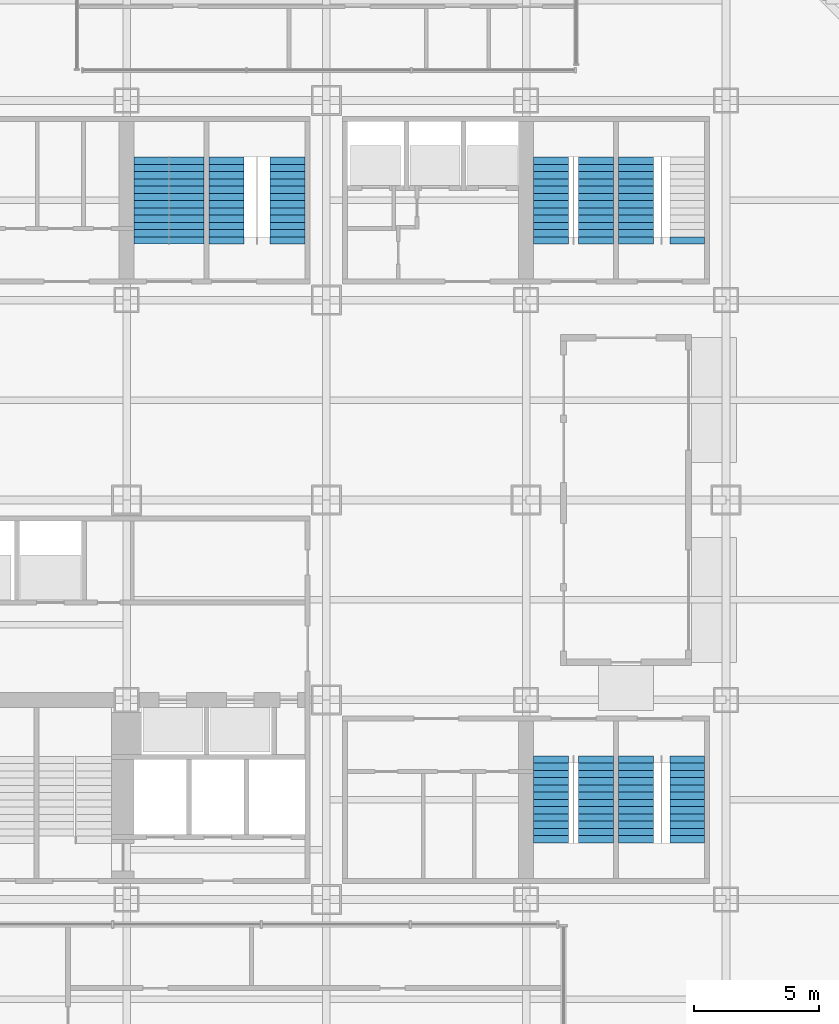
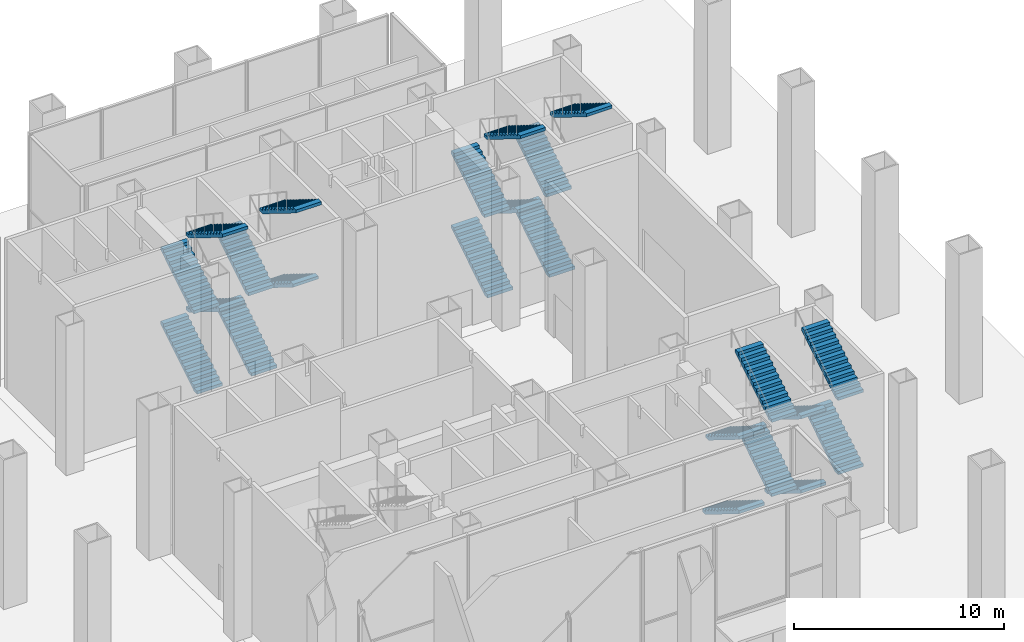
# One storey, part 11 of 14: 23 stair flights, 6 elements without a shape of their own.
"""IFC4 building model written with IfcOpenShell, lengths in metres."""

from ifc_helpers import new_model, si_unit, direction, frame, origin, place, context, subcontext, project, spatial, polyline, outline, extrude, material, type_object, element, aggregate, save


model = new_model("IFC4")

# Units and contexts
model_context = context("Model", 3, precision=1e-05, world=origin(), true_north=direction((0.0, 1.0)))
body_context = subcontext(model_context, "Body", "Model", "MODEL_VIEW")
ifc_project = project(units=[si_unit("LENGTHUNIT", "METRE"), si_unit("AREAUNIT", "SQUARE_METRE"), si_unit("VOLUMEUNIT", "CUBIC_METRE"), si_unit("PLANEANGLEUNIT", "RADIAN"), si_unit("MASSUNIT", "GRAM", prefix="KILO")], contexts=[model_context])

# Site, building, storey
site_placement = place(None, origin())
site = spatial("IfcSite", under=ifc_project, at=site_placement, CompositionType="ELEMENT")
building_placement = place(site_placement, origin())
building = spatial("IfcBuilding", under=site, at=building_placement, Name="Immortelle Media Tower", CompositionType="ELEMENT")
storey_placement = place(building_placement, origin())
storey = spatial("IfcBuildingStorey", under=building, at=storey_placement, Name="G", CompositionType="ELEMENT", Elevation=0.0)

# Stair, stair flights
ifc_material = material(Name="Steel ASTM A992 Gr 50", Category="steel")
stair_type = type_object("IfcStairType", Name="Stair with flights", PredefinedType="DOUBLE_RETURN_STAIR", material=ifc_material)
stair_1_placement = place(storey_placement, origin())
stair_1 = element("IfcStair", 1, at=stair_1_placement, inside=storey, type_object=stair_type, Name="Exit stair SE1", PredefinedType="DOUBLE_RETURN_STAIR")
stair_flight_type = type_object("IfcStairFlightType", Name="Stair flight 1400", PredefinedType="STRAIGHT", material=ifc_material)
stair_flight_1_placement = place(storey_placement, frame((33.0, 13.75, 0.0), z_axis=(0.0, 0.0, 1.0), x_axis=(0.0, -1.0, 0.0)))
stair_flight_1 = element("IfcStairFlight", 2, at=stair_flight_1_placement, type_object=stair_flight_type, Name="ST SE1 flight 1", NumberOfRisers=13, NumberOfTreads=12, PredefinedType="STRAIGHT", RiserHeight=0.18, TreadLength=0.29, context=body_context, shape_type="SweptSolid", body=[
    extrude(outline(polyline([(0.0, 0.0), (0.0, 0.179931640625), (0.2900390625, 0.179931640625), (0.2900390625, 0.360107421875), (0.580078125, 0.360107421875), (0.580078125, 0.5400390625), (0.8701171875, 0.5400390625), (0.8701171875, 0.719970703125), (1.159912109375, 0.719970703125), (1.159912109375, 0.89990234375), (1.449951171875, 0.89990234375), (1.449951171875, 1.080078125), (1.739990234375, 1.080078125), (1.739990234375, 1.260009765625), (2.030029296875, 1.260009765625), (2.030029296875, 1.43994140625), (2.320068359375, 1.43994140625), (2.320068359375, 1.6201171875), (2.610107421875, 1.6201171875), (2.610107421875, 1.800048828125), (2.89990234375, 1.800048828125), (2.89990234375, 1.97998046875), (3.18994140625, 1.97998046875), (3.18994140625, 2.159912109375), (3.47998046875, 2.159912109375), (3.47998046875, 2.340087890625), (3.47998046875, 1.983642578125), (0.2841796875, 0.0), (0.0, 0.0)])), frame((0.0, 0.699951171875, 0.0), z_axis=(0.0, -1.0, 0.0), x_axis=(1.0, 0.0, 0.0)), (0.0, 0.0, 1.0), 1.39990234375),
])
stair_flight_2_placement = place(storey_placement, frame((34.800048828125, 10.27001953125, 2.340087890625), z_axis=(0.0, 0.0, 1.0), x_axis=(0.0, 1.0, 0.0)))
stair_flight_2 = element("IfcStairFlight", 3, at=stair_flight_2_placement, type_object=stair_flight_type, Name="ST SE1 flight 2", NumberOfRisers=12, NumberOfTreads=11, PredefinedType="STRAIGHT", RiserHeight=0.18, TreadLength=0.29, context=body_context, shape_type="SweptSolid", body=[
    extrude(outline(polyline([(0.0, 0.0), (0.0, 0.179931640625), (0.2900390625, 0.179931640625), (0.2900390625, 0.360107421875), (0.580078125, 0.360107421875), (0.580078125, 0.5400390625), (0.8701171875, 0.5400390625), (0.8701171875, 0.719970703125), (1.159912109375, 0.719970703125), (1.159912109375, 0.89990234375), (1.449951171875, 0.89990234375), (1.449951171875, 1.080078125), (1.739990234375, 1.080078125), (1.739990234375, 1.260009765625), (2.030029296875, 1.260009765625), (2.030029296875, 1.43994140625), (2.320068359375, 1.43994140625), (2.320068359375, 1.6201171875), (2.610107421875, 1.6201171875), (2.610107421875, 1.800048828125), (2.89990234375, 1.800048828125), (2.89990234375, 1.97998046875), (3.18994140625, 1.97998046875), (3.18994140625, 2.159912109375), (3.18994140625, 1.803466796875), (0.2841796875, 0.0), (0.0, 0.0)])), frame((0.0, 0.699951171875, 0.0), z_axis=(0.0, -1.0, 0.0), x_axis=(1.0, 0.0, 0.0)), (0.0, 0.0, 1.0), 1.39990234375),
])
stair_flight_3_placement = place(storey_placement, frame((33.0, 13.4599609375, 4.5), z_axis=(0.0, 0.0, 1.0), x_axis=(0.0, -1.0, 0.0)))
stair_flight_3 = element("IfcStairFlight", 4, at=stair_flight_3_placement, type_object=stair_flight_type, Name="ST SE1 flight 3", NumberOfRisers=12, NumberOfTreads=11, PredefinedType="STRAIGHT", RiserHeight=0.18, TreadLength=0.29, context=body_context, shape_type="SweptSolid", body=[
    extrude(outline(polyline([(0.0, 0.0), (0.0, 0.179931640625), (0.2900390625, 0.179931640625), (0.2900390625, 0.360107421875), (0.580078125, 0.360107421875), (0.580078125, 0.5400390625), (0.8701171875, 0.5400390625), (0.8701171875, 0.719970703125), (1.159912109375, 0.719970703125), (1.159912109375, 0.89990234375), (1.449951171875, 0.89990234375), (1.449951171875, 1.080078125), (1.739990234375, 1.080078125), (1.739990234375, 1.260009765625), (2.030029296875, 1.260009765625), (2.030029296875, 1.43994140625), (2.320068359375, 1.43994140625), (2.320068359375, 1.6201171875), (2.610107421875, 1.6201171875), (2.610107421875, 1.800048828125), (2.89990234375, 1.800048828125), (2.89990234375, 1.97998046875), (3.18994140625, 1.97998046875), (3.18994140625, 2.159912109375), (3.18994140625, 1.803466796875), (0.2841796875, 0.0), (0.0, 0.0)])), frame((0.0, 0.699951171875, 0.0), z_axis=(0.0, -1.0, 0.0), x_axis=(1.0, 0.0, 0.0)), (0.0, 0.0, 1.0), 1.39990234375),
])
stair_flight_4_placement = place(storey_placement, frame((34.800048828125, 10.27001953125, 6.659912109375), z_axis=(0.0, 0.0, 1.0), x_axis=(0.0, 1.0, 0.0)))
stair_flight_4 = element("IfcStairFlight", 5, at=stair_flight_4_placement, type_object=stair_flight_type, Name="ST SE1 flight 4", NumberOfRisers=13, NumberOfTreads=12, PredefinedType="STRAIGHT", RiserHeight=0.18, TreadLength=0.29, context=body_context, shape_type="SweptSolid", body=[
    extrude(outline(polyline([(0.0, 0.0), (0.0, 0.179931640625), (0.2900390625, 0.179931640625), (0.2900390625, 0.360107421875), (0.580078125, 0.360107421875), (0.580078125, 0.5400390625), (0.8701171875, 0.5400390625), (0.8701171875, 0.719970703125), (1.159912109375, 0.719970703125), (1.159912109375, 0.89990234375), (1.449951171875, 0.89990234375), (1.449951171875, 1.080078125), (1.739990234375, 1.080078125), (1.739990234375, 1.260009765625), (2.030029296875, 1.260009765625), (2.030029296875, 1.43994140625), (2.320068359375, 1.43994140625), (2.320068359375, 1.6201171875), (2.610107421875, 1.6201171875), (2.610107421875, 1.800048828125), (2.89990234375, 1.800048828125), (2.89990234375, 1.97998046875), (3.18994140625, 1.97998046875), (3.18994140625, 2.159912109375), (3.47998046875, 2.159912109375), (3.47998046875, 2.340087890625), (3.47998046875, 1.983642578125), (0.2841796875, 0.0), (0.0, 0.0)])), frame((0.0, 0.699951171875, 0.0), z_axis=(0.0, -1.0, 0.0), x_axis=(1.0, 0.0, 0.0)), (0.0, 0.0, 1.0), 1.39990234375),
])
aggregate(stair_1, [stair_flight_1, stair_flight_2, stair_flight_3, stair_flight_4])

stair_2_placement = place(storey_placement, origin())
stair_2 = element("IfcStair", 6, at=stair_2_placement, inside=storey, type_object=stair_type, Name="Exit stair SE2", PredefinedType="DOUBLE_RETURN_STAIR")
stair_flight_5_placement = place(storey_placement, frame((36.39990234375, 13.75, 0.0), z_axis=(0.0, 0.0, 1.0), x_axis=(0.0, -1.0, 0.0)))
stair_flight_5 = element("IfcStairFlight", 7, at=stair_flight_5_placement, type_object=stair_flight_type, Name="ST SE2 flight 1", NumberOfRisers=13, NumberOfTreads=12, PredefinedType="STRAIGHT", RiserHeight=0.18, TreadLength=0.29, context=body_context, shape_type="SweptSolid", body=[
    extrude(outline(polyline([(0.0, 0.0), (0.0, 0.179931640625), (0.2900390625, 0.179931640625), (0.2900390625, 0.360107421875), (0.580078125, 0.360107421875), (0.580078125, 0.5400390625), (0.8701171875, 0.5400390625), (0.8701171875, 0.719970703125), (1.159912109375, 0.719970703125), (1.159912109375, 0.89990234375), (1.449951171875, 0.89990234375), (1.449951171875, 1.080078125), (1.739990234375, 1.080078125), (1.739990234375, 1.260009765625), (2.030029296875, 1.260009765625), (2.030029296875, 1.43994140625), (2.320068359375, 1.43994140625), (2.320068359375, 1.6201171875), (2.610107421875, 1.6201171875), (2.610107421875, 1.800048828125), (2.89990234375, 1.800048828125), (2.89990234375, 1.97998046875), (3.18994140625, 1.97998046875), (3.18994140625, 2.159912109375), (3.47998046875, 2.159912109375), (3.47998046875, 2.340087890625), (3.47998046875, 1.983642578125), (0.2841796875, 0.0), (0.0, 0.0)])), frame((0.0, 0.699951171875, 0.0), z_axis=(0.0, -1.0, 0.0), x_axis=(1.0, 0.0, 0.0)), (0.0, 0.0, 1.0), 1.39990234375),
])
stair_flight_6_placement = place(storey_placement, frame((38.449951171875, 10.27001953125, 2.340087890625), z_axis=(0.0, 0.0, 1.0), x_axis=(0.0, 1.0, 0.0)))
stair_flight_6 = element("IfcStairFlight", 8, at=stair_flight_6_placement, type_object=stair_flight_type, Name="ST SE2 flight 2", NumberOfRisers=12, NumberOfTreads=11, PredefinedType="STRAIGHT", RiserHeight=0.18, TreadLength=0.29, context=body_context, shape_type="SweptSolid", body=[
    extrude(outline(polyline([(0.0, 0.0), (0.0, 0.179931640625), (0.2900390625, 0.179931640625), (0.2900390625, 0.360107421875), (0.580078125, 0.360107421875), (0.580078125, 0.5400390625), (0.8701171875, 0.5400390625), (0.8701171875, 0.719970703125), (1.159912109375, 0.719970703125), (1.159912109375, 0.89990234375), (1.449951171875, 0.89990234375), (1.449951171875, 1.080078125), (1.739990234375, 1.080078125), (1.739990234375, 1.260009765625), (2.030029296875, 1.260009765625), (2.030029296875, 1.43994140625), (2.320068359375, 1.43994140625), (2.320068359375, 1.6201171875), (2.610107421875, 1.6201171875), (2.610107421875, 1.800048828125), (2.89990234375, 1.800048828125), (2.89990234375, 1.97998046875), (3.18994140625, 1.97998046875), (3.18994140625, 2.159912109375), (3.18994140625, 1.803466796875), (0.2841796875, 0.0), (0.0, 0.0)])), frame((0.0, 0.699951171875, 0.0), z_axis=(0.0, -1.0, 0.0), x_axis=(1.0, 0.0, 0.0)), (0.0, 0.0, 1.0), 1.39990234375),
])
stair_flight_7_placement = place(storey_placement, frame((36.39990234375, 13.4599609375, 4.5), z_axis=(0.0, 0.0, 1.0), x_axis=(0.0, -1.0, 0.0)))
stair_flight_7 = element("IfcStairFlight", 9, at=stair_flight_7_placement, type_object=stair_flight_type, Name="ST SE2 flight 3", NumberOfRisers=12, NumberOfTreads=11, PredefinedType="STRAIGHT", RiserHeight=0.18, TreadLength=0.29, context=body_context, shape_type="SweptSolid", body=[
    extrude(outline(polyline([(0.0, 0.0), (0.0, 0.179931640625), (0.2900390625, 0.179931640625), (0.2900390625, 0.360107421875), (0.580078125, 0.360107421875), (0.580078125, 0.5400390625), (0.8701171875, 0.5400390625), (0.8701171875, 0.719970703125), (1.159912109375, 0.719970703125), (1.159912109375, 0.89990234375), (1.449951171875, 0.89990234375), (1.449951171875, 1.080078125), (1.739990234375, 1.080078125), (1.739990234375, 1.260009765625), (2.030029296875, 1.260009765625), (2.030029296875, 1.43994140625), (2.320068359375, 1.43994140625), (2.320068359375, 1.6201171875), (2.610107421875, 1.6201171875), (2.610107421875, 1.800048828125), (2.89990234375, 1.800048828125), (2.89990234375, 1.97998046875), (3.18994140625, 1.97998046875), (3.18994140625, 2.159912109375), (3.18994140625, 1.803466796875), (0.2841796875, 0.0), (0.0, 0.0)])), frame((0.0, 0.699951171875, 0.0), z_axis=(0.0, -1.0, 0.0), x_axis=(1.0, 0.0, 0.0)), (0.0, 0.0, 1.0), 1.39990234375),
])
stair_flight_8_placement = place(storey_placement, frame((38.449951171875, 10.27001953125, 6.659912109375), z_axis=(0.0, 0.0, 1.0), x_axis=(0.0, 1.0, 0.0)))
stair_flight_8 = element("IfcStairFlight", 10, at=stair_flight_8_placement, type_object=stair_flight_type, Name="ST SE2 flight 4", NumberOfRisers=13, NumberOfTreads=12, PredefinedType="STRAIGHT", RiserHeight=0.18, TreadLength=0.29, context=body_context, shape_type="SweptSolid", body=[
    extrude(outline(polyline([(0.0, 0.0), (0.0, 0.179931640625), (0.2900390625, 0.179931640625), (0.2900390625, 0.360107421875), (0.580078125, 0.360107421875), (0.580078125, 0.5400390625), (0.8701171875, 0.5400390625), (0.8701171875, 0.719970703125), (1.159912109375, 0.719970703125), (1.159912109375, 0.89990234375), (1.449951171875, 0.89990234375), (1.449951171875, 1.080078125), (1.739990234375, 1.080078125), (1.739990234375, 1.260009765625), (2.030029296875, 1.260009765625), (2.030029296875, 1.43994140625), (2.320068359375, 1.43994140625), (2.320068359375, 1.6201171875), (2.610107421875, 1.6201171875), (2.610107421875, 1.800048828125), (2.89990234375, 1.800048828125), (2.89990234375, 1.97998046875), (3.18994140625, 1.97998046875), (3.18994140625, 2.159912109375), (3.47998046875, 2.159912109375), (3.47998046875, 2.340087890625), (3.47998046875, 1.983642578125), (0.2841796875, 0.0), (0.0, 0.0)])), frame((0.0, 0.699951171875, 0.0), z_axis=(0.0, -1.0, 0.0), x_axis=(1.0, 0.0, 0.0)), (0.0, 0.0, 1.0), 1.39990234375),
])
aggregate(stair_2, [stair_flight_5, stair_flight_6, stair_flight_7, stair_flight_8])

stair_3_placement = place(storey_placement, origin())
stair_3 = element("IfcStair", 11, at=stair_3_placement, inside=storey, type_object=stair_type, Name="Exit stair NW1", PredefinedType="DOUBLE_RETURN_STAIR")
stair_flight_9_placement = place(storey_placement, frame((17.0, 34.25, 0.0), z_axis=(0.0, 0.0, 1.0), x_axis=(0.0, 1.0, 0.0)))
stair_flight_9 = element("IfcStairFlight", 12, at=stair_flight_9_placement, type_object=stair_flight_type, Name="ST NW1 flight 1", NumberOfRisers=13, NumberOfTreads=12, PredefinedType="STRAIGHT", RiserHeight=0.18, TreadLength=0.29, context=body_context, shape_type="SweptSolid", body=[
    extrude(outline(polyline([(0.0, 0.0), (0.0, 0.179931640625), (0.2900390625, 0.179931640625), (0.2900390625, 0.360107421875), (0.580078125, 0.360107421875), (0.580078125, 0.5400390625), (0.8701171875, 0.5400390625), (0.8701171875, 0.719970703125), (1.159912109375, 0.719970703125), (1.159912109375, 0.89990234375), (1.449951171875, 0.89990234375), (1.449951171875, 1.080078125), (1.739990234375, 1.080078125), (1.739990234375, 1.260009765625), (2.030029296875, 1.260009765625), (2.030029296875, 1.43994140625), (2.320068359375, 1.43994140625), (2.320068359375, 1.6201171875), (2.610107421875, 1.6201171875), (2.610107421875, 1.800048828125), (2.89990234375, 1.800048828125), (2.89990234375, 1.97998046875), (3.18994140625, 1.97998046875), (3.18994140625, 2.159912109375), (3.47998046875, 2.159912109375), (3.47998046875, 2.340087890625), (3.47998046875, 1.983642578125), (0.2841796875, 0.0), (0.0, 0.0)])), frame((0.0, 0.699951171875, 0.0), z_axis=(0.0, -1.0, 0.0), x_axis=(1.0, 0.0, 0.0)), (0.0, 0.0, 1.0), 1.39990234375),
])
stair_flight_10_placement = place(storey_placement, frame((18.39990234375, 37.72998046875, 2.340087890625), z_axis=(0.0, 0.0, 1.0), x_axis=(0.0, -1.0, 0.0)))
stair_flight_10 = element("IfcStairFlight", 13, at=stair_flight_10_placement, type_object=stair_flight_type, Name="ST NW1 flight 2", NumberOfRisers=12, NumberOfTreads=11, PredefinedType="STRAIGHT", RiserHeight=0.18, TreadLength=0.29, context=body_context, shape_type="SweptSolid", body=[
    extrude(outline(polyline([(0.0, 0.0), (0.0, 0.179931640625), (0.2900390625, 0.179931640625), (0.2900390625, 0.360107421875), (0.580078125, 0.360107421875), (0.580078125, 0.5400390625), (0.8701171875, 0.5400390625), (0.8701171875, 0.719970703125), (1.159912109375, 0.719970703125), (1.159912109375, 0.89990234375), (1.449951171875, 0.89990234375), (1.449951171875, 1.080078125), (1.739990234375, 1.080078125), (1.739990234375, 1.260009765625), (2.030029296875, 1.260009765625), (2.030029296875, 1.43994140625), (2.320068359375, 1.43994140625), (2.320068359375, 1.6201171875), (2.610107421875, 1.6201171875), (2.610107421875, 1.800048828125), (2.89990234375, 1.800048828125), (2.89990234375, 1.97998046875), (3.18994140625, 1.97998046875), (3.18994140625, 2.159912109375), (3.18994140625, 1.803466796875), (0.2841796875, 0.0), (0.0, 0.0)])), frame((0.0, 0.699951171875, 0.0), z_axis=(0.0, -1.0, 0.0), x_axis=(1.0, 0.0, 0.0)), (0.0, 0.0, 1.0), 1.39990234375),
])
stair_flight_11_placement = place(storey_placement, frame((17.0, 34.5400390625, 4.5), z_axis=(0.0, 0.0, 1.0), x_axis=(0.0, 1.0, 0.0)))
stair_flight_11 = element("IfcStairFlight", 14, at=stair_flight_11_placement, type_object=stair_flight_type, Name="ST NW1 flight 3", NumberOfRisers=12, NumberOfTreads=11, PredefinedType="STRAIGHT", RiserHeight=0.18, TreadLength=0.29, context=body_context, shape_type="SweptSolid", body=[
    extrude(outline(polyline([(0.0, 0.0), (0.0, 0.179931640625), (0.2900390625, 0.179931640625), (0.2900390625, 0.360107421875), (0.580078125, 0.360107421875), (0.580078125, 0.5400390625), (0.8701171875, 0.5400390625), (0.8701171875, 0.719970703125), (1.159912109375, 0.719970703125), (1.159912109375, 0.89990234375), (1.449951171875, 0.89990234375), (1.449951171875, 1.080078125), (1.739990234375, 1.080078125), (1.739990234375, 1.260009765625), (2.030029296875, 1.260009765625), (2.030029296875, 1.43994140625), (2.320068359375, 1.43994140625), (2.320068359375, 1.6201171875), (2.610107421875, 1.6201171875), (2.610107421875, 1.800048828125), (2.89990234375, 1.800048828125), (2.89990234375, 1.97998046875), (3.18994140625, 1.97998046875), (3.18994140625, 2.159912109375), (3.18994140625, 1.803466796875), (0.2841796875, 0.0), (0.0, 0.0)])), frame((0.0, 0.699951171875, 0.0), z_axis=(0.0, -1.0, 0.0), x_axis=(1.0, 0.0, 0.0)), (0.0, 0.0, 1.0), 1.39990234375),
])
stair_flight_12_placement = place(storey_placement, frame((18.39990234375, 37.72998046875, 6.659912109375), z_axis=(0.0, 0.0, 1.0), x_axis=(0.0, -1.0, 0.0)))
stair_flight_12 = element("IfcStairFlight", 15, at=stair_flight_12_placement, type_object=stair_flight_type, Name="ST NW1 flight 4", NumberOfRisers=13, NumberOfTreads=12, PredefinedType="STRAIGHT", RiserHeight=0.18, TreadLength=0.29, context=body_context, shape_type="SweptSolid", body=[
    extrude(outline(polyline([(0.0, 0.0), (0.0, 0.179931640625), (0.2900390625, 0.179931640625), (0.2900390625, 0.360107421875), (0.580078125, 0.360107421875), (0.580078125, 0.5400390625), (0.8701171875, 0.5400390625), (0.8701171875, 0.719970703125), (1.159912109375, 0.719970703125), (1.159912109375, 0.89990234375), (1.449951171875, 0.89990234375), (1.449951171875, 1.080078125), (1.739990234375, 1.080078125), (1.739990234375, 1.260009765625), (2.030029296875, 1.260009765625), (2.030029296875, 1.43994140625), (2.320068359375, 1.43994140625), (2.320068359375, 1.6201171875), (2.610107421875, 1.6201171875), (2.610107421875, 1.800048828125), (2.89990234375, 1.800048828125), (2.89990234375, 1.97998046875), (3.18994140625, 1.97998046875), (3.18994140625, 2.159912109375), (3.47998046875, 2.159912109375), (3.47998046875, 2.340087890625), (3.47998046875, 1.983642578125), (0.2841796875, 0.0), (0.0, 0.0)])), frame((0.0, 0.699951171875, 0.0), z_axis=(0.0, -1.0, 0.0), x_axis=(1.0, 0.0, 0.0)), (0.0, 0.0, 1.0), 1.39990234375),
])
aggregate(stair_3, [stair_flight_9, stair_flight_10, stair_flight_11, stair_flight_12])

stair_4_placement = place(storey_placement, origin())
stair_4 = element("IfcStair", 16, at=stair_4_placement, inside=storey, type_object=stair_type, Name="Exit stair NW2", PredefinedType="DOUBLE_RETURN_STAIR")
stair_flight_13_placement = place(storey_placement, frame((20.0, 34.25, 0.0), z_axis=(0.0, 0.0, 1.0), x_axis=(0.0, 1.0, 0.0)))
stair_flight_13 = element("IfcStairFlight", 17, at=stair_flight_13_placement, type_object=stair_flight_type, Name="ST NW2 flight 1", NumberOfRisers=13, NumberOfTreads=12, PredefinedType="STRAIGHT", RiserHeight=0.18, TreadLength=0.29, context=body_context, shape_type="SweptSolid", body=[
    extrude(outline(polyline([(0.0, 0.0), (0.0, 0.179931640625), (0.2900390625, 0.179931640625), (0.2900390625, 0.360107421875), (0.580078125, 0.360107421875), (0.580078125, 0.5400390625), (0.8701171875, 0.5400390625), (0.8701171875, 0.719970703125), (1.159912109375, 0.719970703125), (1.159912109375, 0.89990234375), (1.449951171875, 0.89990234375), (1.449951171875, 1.080078125), (1.739990234375, 1.080078125), (1.739990234375, 1.260009765625), (2.030029296875, 1.260009765625), (2.030029296875, 1.43994140625), (2.320068359375, 1.43994140625), (2.320068359375, 1.6201171875), (2.610107421875, 1.6201171875), (2.610107421875, 1.800048828125), (2.89990234375, 1.800048828125), (2.89990234375, 1.97998046875), (3.18994140625, 1.97998046875), (3.18994140625, 2.159912109375), (3.47998046875, 2.159912109375), (3.47998046875, 2.340087890625), (3.47998046875, 1.983642578125), (0.2841796875, 0.0), (0.0, 0.0)])), frame((0.0, 0.699951171875, 0.0), z_axis=(0.0, -1.0, 0.0), x_axis=(1.0, 0.0, 0.0)), (0.0, 0.0, 1.0), 1.39990234375),
])
stair_flight_14_placement = place(storey_placement, frame((22.449951171875, 37.72998046875, 2.340087890625), z_axis=(0.0, 0.0, 1.0), x_axis=(0.0, -1.0, 0.0)))
stair_flight_14 = element("IfcStairFlight", 18, at=stair_flight_14_placement, type_object=stair_flight_type, Name="ST NW2 flight 2", NumberOfRisers=12, NumberOfTreads=11, PredefinedType="STRAIGHT", RiserHeight=0.18, TreadLength=0.29, context=body_context, shape_type="SweptSolid", body=[
    extrude(outline(polyline([(0.0, 0.0), (0.0, 0.179931640625), (0.2900390625, 0.179931640625), (0.2900390625, 0.360107421875), (0.580078125, 0.360107421875), (0.580078125, 0.5400390625), (0.8701171875, 0.5400390625), (0.8701171875, 0.719970703125), (1.159912109375, 0.719970703125), (1.159912109375, 0.89990234375), (1.449951171875, 0.89990234375), (1.449951171875, 1.080078125), (1.739990234375, 1.080078125), (1.739990234375, 1.260009765625), (2.030029296875, 1.260009765625), (2.030029296875, 1.43994140625), (2.320068359375, 1.43994140625), (2.320068359375, 1.6201171875), (2.610107421875, 1.6201171875), (2.610107421875, 1.800048828125), (2.89990234375, 1.800048828125), (2.89990234375, 1.97998046875), (3.18994140625, 1.97998046875), (3.18994140625, 2.159912109375), (3.18994140625, 1.803466796875), (0.2841796875, 0.0), (0.0, 0.0)])), frame((0.0, 0.699951171875, 0.0), z_axis=(0.0, -1.0, 0.0), x_axis=(1.0, 0.0, 0.0)), (0.0, 0.0, 1.0), 1.39990234375),
])
stair_flight_15_placement = place(storey_placement, frame((20.0, 34.5400390625, 4.5), z_axis=(0.0, 0.0, 1.0), x_axis=(0.0, 1.0, 0.0)))
stair_flight_15 = element("IfcStairFlight", 19, at=stair_flight_15_placement, type_object=stair_flight_type, Name="ST NW2 flight 3", NumberOfRisers=12, NumberOfTreads=11, PredefinedType="STRAIGHT", RiserHeight=0.18, TreadLength=0.29, context=body_context, shape_type="SweptSolid", body=[
    extrude(outline(polyline([(0.0, 0.0), (0.0, 0.179931640625), (0.2900390625, 0.179931640625), (0.2900390625, 0.360107421875), (0.580078125, 0.360107421875), (0.580078125, 0.5400390625), (0.8701171875, 0.5400390625), (0.8701171875, 0.719970703125), (1.159912109375, 0.719970703125), (1.159912109375, 0.89990234375), (1.449951171875, 0.89990234375), (1.449951171875, 1.080078125), (1.739990234375, 1.080078125), (1.739990234375, 1.260009765625), (2.030029296875, 1.260009765625), (2.030029296875, 1.43994140625), (2.320068359375, 1.43994140625), (2.320068359375, 1.6201171875), (2.610107421875, 1.6201171875), (2.610107421875, 1.800048828125), (2.89990234375, 1.800048828125), (2.89990234375, 1.97998046875), (3.18994140625, 1.97998046875), (3.18994140625, 2.159912109375), (3.18994140625, 1.803466796875), (0.2841796875, 0.0), (0.0, 0.0)])), frame((0.0, 0.699951171875, 0.0), z_axis=(0.0, -1.0, 0.0), x_axis=(1.0, 0.0, 0.0)), (0.0, 0.0, 1.0), 1.39990234375),
])
stair_flight_16_placement = place(storey_placement, frame((22.449951171875, 37.72998046875, 6.659912109375), z_axis=(0.0, 0.0, 1.0), x_axis=(0.0, -1.0, 0.0)))
stair_flight_16 = element("IfcStairFlight", 20, at=stair_flight_16_placement, type_object=stair_flight_type, Name="ST NW2 flight 4", NumberOfRisers=13, NumberOfTreads=12, PredefinedType="STRAIGHT", RiserHeight=0.18, TreadLength=0.29, context=body_context, shape_type="SweptSolid", body=[
    extrude(outline(polyline([(0.0, 0.0), (0.0, 0.179931640625), (0.2900390625, 0.179931640625), (0.2900390625, 0.360107421875), (0.580078125, 0.360107421875), (0.580078125, 0.5400390625), (0.8701171875, 0.5400390625), (0.8701171875, 0.719970703125), (1.159912109375, 0.719970703125), (1.159912109375, 0.89990234375), (1.449951171875, 0.89990234375), (1.449951171875, 1.080078125), (1.739990234375, 1.080078125), (1.739990234375, 1.260009765625), (2.030029296875, 1.260009765625), (2.030029296875, 1.43994140625), (2.320068359375, 1.43994140625), (2.320068359375, 1.6201171875), (2.610107421875, 1.6201171875), (2.610107421875, 1.800048828125), (2.89990234375, 1.800048828125), (2.89990234375, 1.97998046875), (3.18994140625, 1.97998046875), (3.18994140625, 2.159912109375), (3.47998046875, 2.159912109375), (3.47998046875, 2.340087890625), (3.47998046875, 1.983642578125), (0.2841796875, 0.0), (0.0, 0.0)])), frame((0.0, 0.699951171875, 0.0), z_axis=(0.0, -1.0, 0.0), x_axis=(1.0, 0.0, 0.0)), (0.0, 0.0, 1.0), 1.39990234375),
])
aggregate(stair_4, [stair_flight_13, stair_flight_14, stair_flight_15, stair_flight_16])

stair_5_placement = place(storey_placement, origin())
stair_5 = element("IfcStair", 21, at=stair_5_placement, inside=storey, type_object=stair_type, Name="Exit stair NE1", PredefinedType="DOUBLE_RETURN_STAIR")
stair_flight_17_placement = place(storey_placement, frame((33.0, 34.25, 0.0), z_axis=(0.0, 0.0, 1.0), x_axis=(0.0, 1.0, 0.0)))
stair_flight_17 = element("IfcStairFlight", 22, at=stair_flight_17_placement, type_object=stair_flight_type, Name="ST NE1 flight 1", NumberOfRisers=13, NumberOfTreads=12, PredefinedType="STRAIGHT", RiserHeight=0.18, TreadLength=0.29, context=body_context, shape_type="SweptSolid", body=[
    extrude(outline(polyline([(0.0, 0.0), (0.0, 0.179931640625), (0.2900390625, 0.179931640625), (0.2900390625, 0.360107421875), (0.580078125, 0.360107421875), (0.580078125, 0.5400390625), (0.8701171875, 0.5400390625), (0.8701171875, 0.719970703125), (1.159912109375, 0.719970703125), (1.159912109375, 0.89990234375), (1.449951171875, 0.89990234375), (1.449951171875, 1.080078125), (1.739990234375, 1.080078125), (1.739990234375, 1.260009765625), (2.030029296875, 1.260009765625), (2.030029296875, 1.43994140625), (2.320068359375, 1.43994140625), (2.320068359375, 1.6201171875), (2.610107421875, 1.6201171875), (2.610107421875, 1.800048828125), (2.89990234375, 1.800048828125), (2.89990234375, 1.97998046875), (3.18994140625, 1.97998046875), (3.18994140625, 2.159912109375), (3.47998046875, 2.159912109375), (3.47998046875, 2.340087890625), (3.47998046875, 1.983642578125), (0.2841796875, 0.0), (0.0, 0.0)])), frame((0.0, 0.699951171875, 0.0), z_axis=(0.0, -1.0, 0.0), x_axis=(1.0, 0.0, 0.0)), (0.0, 0.0, 1.0), 1.39990234375),
])
stair_flight_18_placement = place(storey_placement, frame((34.800048828125, 37.72998046875, 2.340087890625), z_axis=(0.0, 0.0, 1.0), x_axis=(0.0, -1.0, 0.0)))
stair_flight_18 = element("IfcStairFlight", 23, at=stair_flight_18_placement, type_object=stair_flight_type, Name="ST NE1 flight 2", NumberOfRisers=12, NumberOfTreads=11, PredefinedType="STRAIGHT", RiserHeight=0.18, TreadLength=0.29, context=body_context, shape_type="SweptSolid", body=[
    extrude(outline(polyline([(0.0, 0.0), (0.0, 0.179931640625), (0.2900390625, 0.179931640625), (0.2900390625, 0.360107421875), (0.580078125, 0.360107421875), (0.580078125, 0.5400390625), (0.8701171875, 0.5400390625), (0.8701171875, 0.719970703125), (1.159912109375, 0.719970703125), (1.159912109375, 0.89990234375), (1.449951171875, 0.89990234375), (1.449951171875, 1.080078125), (1.739990234375, 1.080078125), (1.739990234375, 1.260009765625), (2.030029296875, 1.260009765625), (2.030029296875, 1.43994140625), (2.320068359375, 1.43994140625), (2.320068359375, 1.6201171875), (2.610107421875, 1.6201171875), (2.610107421875, 1.800048828125), (2.89990234375, 1.800048828125), (2.89990234375, 1.97998046875), (3.18994140625, 1.97998046875), (3.18994140625, 2.159912109375), (3.18994140625, 1.803466796875), (0.2841796875, 0.0), (0.0, 0.0)])), frame((0.0, 0.699951171875, 0.0), z_axis=(0.0, -1.0, 0.0), x_axis=(1.0, 0.0, 0.0)), (0.0, 0.0, 1.0), 1.39990234375),
])
stair_flight_19_placement = place(storey_placement, frame((33.0, 34.5400390625, 4.5), z_axis=(0.0, 0.0, 1.0), x_axis=(0.0, 1.0, 0.0)))
stair_flight_19 = element("IfcStairFlight", 24, at=stair_flight_19_placement, type_object=stair_flight_type, Name="ST NE1 flight 3", NumberOfRisers=12, NumberOfTreads=11, PredefinedType="STRAIGHT", RiserHeight=0.18, TreadLength=0.29, context=body_context, shape_type="SweptSolid", body=[
    extrude(outline(polyline([(0.0, 0.0), (0.0, 0.179931640625), (0.2900390625, 0.179931640625), (0.2900390625, 0.360107421875), (0.580078125, 0.360107421875), (0.580078125, 0.5400390625), (0.8701171875, 0.5400390625), (0.8701171875, 0.719970703125), (1.159912109375, 0.719970703125), (1.159912109375, 0.89990234375), (1.449951171875, 0.89990234375), (1.449951171875, 1.080078125), (1.739990234375, 1.080078125), (1.739990234375, 1.260009765625), (2.030029296875, 1.260009765625), (2.030029296875, 1.43994140625), (2.320068359375, 1.43994140625), (2.320068359375, 1.6201171875), (2.610107421875, 1.6201171875), (2.610107421875, 1.800048828125), (2.89990234375, 1.800048828125), (2.89990234375, 1.97998046875), (3.18994140625, 1.97998046875), (3.18994140625, 2.159912109375), (3.18994140625, 1.803466796875), (0.2841796875, 0.0), (0.0, 0.0)])), frame((0.0, 0.699951171875, 0.0), z_axis=(0.0, -1.0, 0.0), x_axis=(1.0, 0.0, 0.0)), (0.0, 0.0, 1.0), 1.39990234375),
])
stair_flight_20_placement = place(storey_placement, frame((34.800048828125, 37.72998046875, 6.659912109375), z_axis=(0.0, 0.0, 1.0), x_axis=(0.0, -1.0, 0.0)))
stair_flight_20 = element("IfcStairFlight", 25, at=stair_flight_20_placement, type_object=stair_flight_type, Name="ST NE1 flight 4", NumberOfRisers=13, NumberOfTreads=12, PredefinedType="STRAIGHT", RiserHeight=0.18, TreadLength=0.29, context=body_context, shape_type="SweptSolid", body=[
    extrude(outline(polyline([(0.0, 0.0), (0.0, 0.179931640625), (0.2900390625, 0.179931640625), (0.2900390625, 0.360107421875), (0.580078125, 0.360107421875), (0.580078125, 0.5400390625), (0.8701171875, 0.5400390625), (0.8701171875, 0.719970703125), (1.159912109375, 0.719970703125), (1.159912109375, 0.89990234375), (1.449951171875, 0.89990234375), (1.449951171875, 1.080078125), (1.739990234375, 1.080078125), (1.739990234375, 1.260009765625), (2.030029296875, 1.260009765625), (2.030029296875, 1.43994140625), (2.320068359375, 1.43994140625), (2.320068359375, 1.6201171875), (2.610107421875, 1.6201171875), (2.610107421875, 1.800048828125), (2.89990234375, 1.800048828125), (2.89990234375, 1.97998046875), (3.18994140625, 1.97998046875), (3.18994140625, 2.159912109375), (3.47998046875, 2.159912109375), (3.47998046875, 2.340087890625), (3.47998046875, 1.983642578125), (0.2841796875, 0.0), (0.0, 0.0)])), frame((0.0, 0.699951171875, 0.0), z_axis=(0.0, -1.0, 0.0), x_axis=(1.0, 0.0, 0.0)), (0.0, 0.0, 1.0), 1.39990234375),
])
aggregate(stair_5, [stair_flight_17, stair_flight_18, stair_flight_19, stair_flight_20])

stair_6_placement = place(storey_placement, origin())
stair_6 = element("IfcStair", 26, at=stair_6_placement, inside=storey, type_object=stair_type, Name="Exit stair NE2", PredefinedType="DOUBLE_RETURN_STAIR")
stair_flight_21_placement = place(storey_placement, frame((36.39990234375, 34.25, 0.0), z_axis=(0.0, 0.0, 1.0), x_axis=(0.0, 1.0, 0.0)))
stair_flight_21 = element("IfcStairFlight", 27, at=stair_flight_21_placement, type_object=stair_flight_type, Name="ST NE2 flight 1", NumberOfRisers=13, NumberOfTreads=12, PredefinedType="STRAIGHT", RiserHeight=0.18, TreadLength=0.29, context=body_context, shape_type="SweptSolid", body=[
    extrude(outline(polyline([(0.0, 0.0), (0.0, 0.179931640625), (0.2900390625, 0.179931640625), (0.2900390625, 0.360107421875), (0.580078125, 0.360107421875), (0.580078125, 0.5400390625), (0.8701171875, 0.5400390625), (0.8701171875, 0.719970703125), (1.159912109375, 0.719970703125), (1.159912109375, 0.89990234375), (1.449951171875, 0.89990234375), (1.449951171875, 1.080078125), (1.739990234375, 1.080078125), (1.739990234375, 1.260009765625), (2.030029296875, 1.260009765625), (2.030029296875, 1.43994140625), (2.320068359375, 1.43994140625), (2.320068359375, 1.6201171875), (2.610107421875, 1.6201171875), (2.610107421875, 1.800048828125), (2.89990234375, 1.800048828125), (2.89990234375, 1.97998046875), (3.18994140625, 1.97998046875), (3.18994140625, 2.159912109375), (3.47998046875, 2.159912109375), (3.47998046875, 2.340087890625), (3.47998046875, 1.983642578125), (0.2841796875, 0.0), (0.0, 0.0)])), frame((0.0, 0.699951171875, 0.0), z_axis=(0.0, -1.0, 0.0), x_axis=(1.0, 0.0, 0.0)), (0.0, 0.0, 1.0), 1.39990234375),
])
stair_flight_22_placement = place(storey_placement, frame((36.39990234375, 34.5400390625, 4.5), z_axis=(0.0, 0.0, 1.0), x_axis=(0.0, 1.0, 0.0)))
stair_flight_22 = element("IfcStairFlight", 28, at=stair_flight_22_placement, type_object=stair_flight_type, Name="ST NE2 flight 3", NumberOfRisers=12, NumberOfTreads=11, PredefinedType="STRAIGHT", RiserHeight=0.18, TreadLength=0.29, context=body_context, shape_type="SweptSolid", body=[
    extrude(outline(polyline([(0.0, 0.0), (0.0, 0.179931640625), (0.2900390625, 0.179931640625), (0.2900390625, 0.360107421875), (0.580078125, 0.360107421875), (0.580078125, 0.5400390625), (0.8701171875, 0.5400390625), (0.8701171875, 0.719970703125), (1.159912109375, 0.719970703125), (1.159912109375, 0.89990234375), (1.449951171875, 0.89990234375), (1.449951171875, 1.080078125), (1.739990234375, 1.080078125), (1.739990234375, 1.260009765625), (2.030029296875, 1.260009765625), (2.030029296875, 1.43994140625), (2.320068359375, 1.43994140625), (2.320068359375, 1.6201171875), (2.610107421875, 1.6201171875), (2.610107421875, 1.800048828125), (2.89990234375, 1.800048828125), (2.89990234375, 1.97998046875), (3.18994140625, 1.97998046875), (3.18994140625, 2.159912109375), (3.18994140625, 1.803466796875), (0.2841796875, 0.0), (0.0, 0.0)])), frame((0.0, 0.699951171875, 0.0), z_axis=(0.0, -1.0, 0.0), x_axis=(1.0, 0.0, 0.0)), (0.0, 0.0, 1.0), 1.39990234375),
])
stair_flight_23_placement = place(storey_placement, frame((38.449951171875, 37.72998046875, 6.659912109375), z_axis=(0.0, 0.0, 1.0), x_axis=(0.0, -1.0, 0.0)))
stair_flight_23 = element("IfcStairFlight", 29, at=stair_flight_23_placement, type_object=stair_flight_type, Name="ST NE2 flight 4", NumberOfRisers=13, NumberOfTreads=12, PredefinedType="STRAIGHT", RiserHeight=0.18, TreadLength=0.29, context=body_context, shape_type="SweptSolid", body=[
    extrude(outline(polyline([(0.0, 0.0), (0.0, 0.179931640625), (0.2900390625, 0.179931640625), (0.2900390625, 0.360107421875), (0.580078125, 0.360107421875), (0.580078125, 0.5400390625), (0.8701171875, 0.5400390625), (0.8701171875, 0.719970703125), (1.159912109375, 0.719970703125), (1.159912109375, 0.89990234375), (1.449951171875, 0.89990234375), (1.449951171875, 1.080078125), (1.739990234375, 1.080078125), (1.739990234375, 1.260009765625), (2.030029296875, 1.260009765625), (2.030029296875, 1.43994140625), (2.320068359375, 1.43994140625), (2.320068359375, 1.6201171875), (2.610107421875, 1.6201171875), (2.610107421875, 1.800048828125), (2.89990234375, 1.800048828125), (2.89990234375, 1.97998046875), (3.18994140625, 1.97998046875), (3.18994140625, 2.159912109375), (3.47998046875, 2.159912109375), (3.47998046875, 2.340087890625), (3.47998046875, 1.983642578125), (0.2841796875, 0.0), (0.0, 0.0)])), frame((0.0, 0.699951171875, 0.0), z_axis=(0.0, -1.0, 0.0), x_axis=(1.0, 0.0, 0.0)), (0.0, 0.0, 1.0), 1.39990234375),
])
aggregate(stair_6, [stair_flight_21, stair_flight_22, stair_flight_23])

save(model, "model.ifc")
